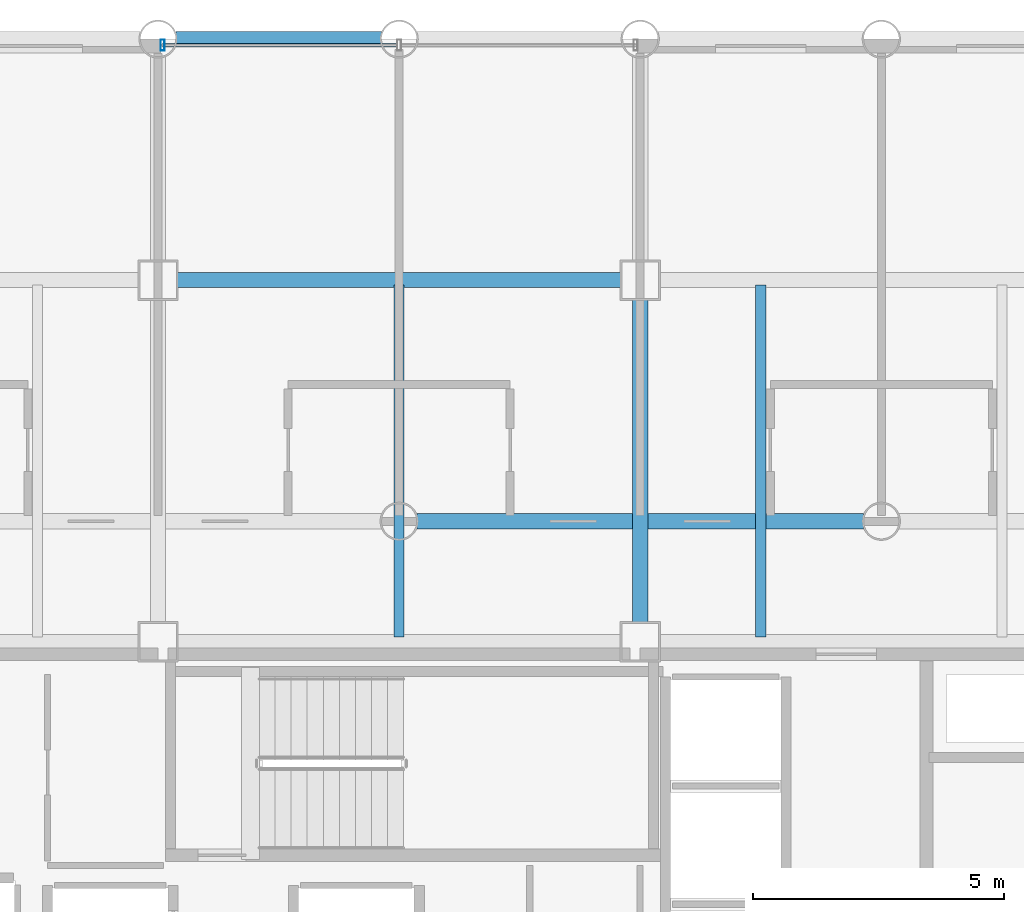
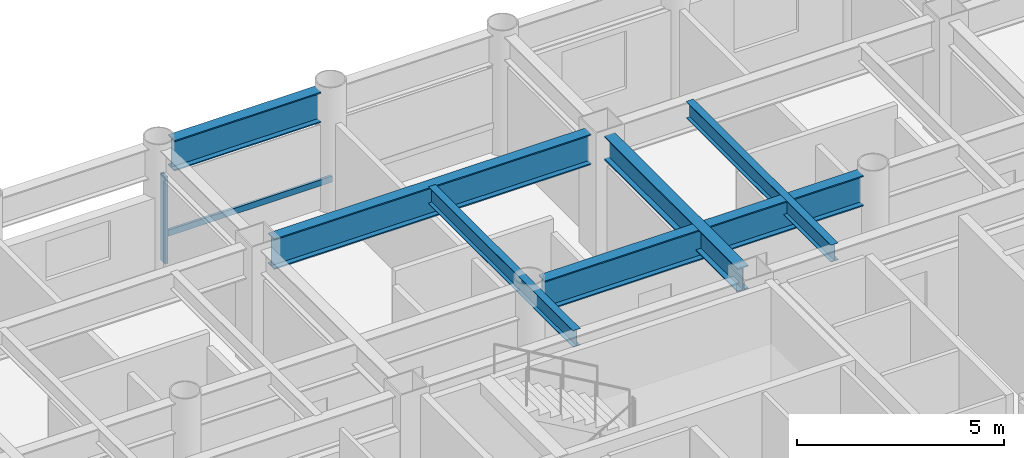
# One storey, part 11 of 22: 6 beams, 2 members, 1 element without a shape of its own.
"""IFC4 building model written with IfcOpenShell, lengths in metres."""

from ifc_helpers import new_model, si_unit, direction, frame, origin, origin_2d, place, context, subcontext, project, spatial, hollow_rectangle, i_section, extrude, material, layer, layer_set, material_profile, profile_set, type_object, element, aggregate, save


model = new_model("IFC4")

# Units and contexts
model_context = context("Model", 3, precision=1e-05, world=origin(), true_north=direction((0.0, 1.0)))
body_context = subcontext(model_context, "Body", "Model", "MODEL_VIEW")
ifc_project = project(units=[si_unit("LENGTHUNIT", "METRE"), si_unit("AREAUNIT", "SQUARE_METRE"), si_unit("VOLUMEUNIT", "CUBIC_METRE"), si_unit("PLANEANGLEUNIT", "RADIAN"), si_unit("MASSUNIT", "GRAM", prefix="KILO")], contexts=[model_context])

# Site, building, storey
site_placement = place(None, origin())
site = spatial("IfcSite", under=ifc_project, at=site_placement, CompositionType="ELEMENT")
building_placement = place(site_placement, origin())
building = spatial("IfcBuilding", under=site, at=building_placement, Name="Kallvorn Hotel Tower", CompositionType="ELEMENT")
storey_placement = place(building_placement, frame((0.0, 0.0, 33.699951171875)))
storey = spatial("IfcBuildingStorey", under=building, at=storey_placement, Name="L06", CompositionType="ELEMENT", Elevation=33.699951171875)

# Beams
ifc_material_1 = material(Name="Structural steel S355JR", Category="steel")
ifc_material_profile_1 = material_profile(ifc_material_1, i_section(OverallWidth=0.300048828125, OverallDepth=0.699951171875, WebThickness=0.01708984375, FlangeThickness=0.031982421875, at=origin_2d()), Name="HE 700 B")
ifc_profile_set_1 = profile_set([ifc_material_profile_1], Name="Structural steel S355JR")
beam_type_1 = type_object("IfcBeamType", Name="BM_HE700B", PredefinedType="BEAM", material=ifc_profile_set_1)
beam_1_placement = place(storey_placement, frame((4.800048828125, 7.574951171875, 3.170166015625), z_axis=(0.0, 1.0, 0.0), x_axis=(-1.0, 0.0, 0.0)))
element("IfcBeam", 1, at=beam_1_placement, inside=storey, type_object=beam_type_1, Name="L07 Primary Y-Girder 117", PredefinedType="BEAM", context=body_context, shape_type="SweptSolid", body=[
    extrude(i_section(OverallWidth=0.300048828125, OverallDepth=0.699951171875, WebThickness=0.01708984375, FlangeThickness=0.031982421875, at=origin_2d()), origin(), (0.0, 0.0, 1.0), 6.449951171875),
])
ifc_material_2 = material(Name="Structural steel S355JR", Category="steel")
ifc_material_profile_2 = material_profile(ifc_material_2, i_section(OverallWidth=0.300048828125, OverallDepth=0.89990234375, WebThickness=0.0185546875, FlangeThickness=0.034912109375, at=origin_2d()), Name="HE 900 B")
ifc_profile_set_2 = profile_set([ifc_material_profile_2], Name="Structural steel S355JR")
beam_type_2 = type_object("IfcBeamType", Name="BM_HE900B", PredefinedType="BEAM", material=ifc_profile_set_2)
beam_2_placement = place(storey_placement, frame((0.35595703125, 9.60009765625, 3.070068359375), z_axis=(1.0, 0.0, 0.0), x_axis=(0.0, 1.0, 0.0)))
element("IfcBeam", 2, at=beam_2_placement, inside=storey, type_object=beam_type_2, Name="L07 Primary X-Girder 47", PredefinedType="BEAM", context=body_context, shape_type="SweptSolid", body=[
    extrude(i_section(OverallWidth=0.300048828125, OverallDepth=0.89990234375, WebThickness=0.0185546875, FlangeThickness=0.034912109375, at=origin_2d()), origin(), (0.0, 0.0, 1.0), 8.887939453125),
])
beam_3_placement = place(storey_placement, frame((-4.425048828125, 14.39990234375, 3.070068359375), z_axis=(1.0, 0.0, 0.0), x_axis=(0.0, 1.0, 0.0)))
element("IfcBeam", 3, at=beam_3_placement, inside=storey, type_object=beam_type_2, Name="L07 Primary X-Girder 56", PredefinedType="BEAM", context=body_context, shape_type="SweptSolid", body=[
    extrude(i_section(OverallWidth=0.300048828125, OverallDepth=0.89990234375, WebThickness=0.0185546875, FlangeThickness=0.034912109375, at=origin_2d()), origin(), (0.0, 0.0, 1.0), 8.85009765625),
])
beam_4_placement = place(storey_placement, frame((-4.444091796875, 19.199951171875, 3.070068359375), z_axis=(1.0, 0.0, 0.0), x_axis=(0.0, 1.0, 0.0)))
element("IfcBeam", 4, at=beam_4_placement, inside=storey, type_object=beam_type_2, Name="L07 Primary X-Girder 66", PredefinedType="BEAM", context=body_context, shape_type="SweptSolid", body=[
    extrude(i_section(OverallWidth=0.300048828125, OverallDepth=0.89990234375, WebThickness=0.0185546875, FlangeThickness=0.034912109375, at=origin_2d()), origin(), (0.0, 0.0, 1.0), 4.088134765625),
])
ifc_material_3 = material(Name="Structural steel S355JR", Category="steel")
ifc_material_profile_3 = material_profile(ifc_material_3, i_section(OverallWidth=0.199951171875, OverallDepth=0.5, WebThickness=0.01025390625, FlangeThickness=0.01611328125, at=origin_2d()), Name="IPE 500")
ifc_profile_set_3 = profile_set([ifc_material_profile_3], Name="Structural steel S355JR")
beam_type_3 = type_object("IfcBeamType", Name="BM_IPE500", PredefinedType="JOIST", material=ifc_profile_set_3)
for number, where, z_axis, x_axis, name in (
    (5, (0.0, 7.300048828125, 3.27001953125), (0.0, 1.0, 0.0), (-1.0, 0.0, 0.0), "L07 Secondary Composite Joist 201"),
    (6, (7.199951171875, 7.300048828125, 3.27001953125), (0.0, 1.0, 0.0), (-1.0, 0.0, 0.0), "L07 Secondary Composite Joist 203"),
):
    element("IfcBeam", number, at=place(storey_placement, frame(where, z_axis=z_axis, x_axis=x_axis)), inside=storey, type_object=beam_type_3, Name=name, PredefinedType="JOIST", context=body_context, shape_type="SweptSolid", body=[
        extrude(i_section(OverallWidth=0.199951171875, OverallDepth=0.5, WebThickness=0.01025390625, FlangeThickness=0.01611328125, at=origin_2d()), origin(), (0.0, 0.0, 1.0), 7.0),
    ])

# Curtain wall, members
ifc_material_4 = material(Name="Thermally broken black-anodised aluminium AA 6063-T6", Category="aluminium")
ifc_layer = layer(ifc_material_4, 0.199951171875)
ifc_layer_set = layer_set([ifc_layer], Name="CW_SYS_3_HOTEL_LOW")
curtain_wall_type = type_object("IfcCurtainWallType", Name="CW_SYS_3_HOTEL_LOW", PredefinedType="USERDEFINED", material=ifc_layer_set)
curtain_wall_placement = place(storey_placement, origin())
curtain_wall = element("IfcCurtainWall", 7, at=curtain_wall_placement, inside=storey, type_object=curtain_wall_type, Name="L06 Dark-Glass Curtain Wall CW-L06-NC", ObjectType="UNITISED CURTAIN WALL", PredefinedType="USERDEFINED")
ifc_material_5 = material(Name="Thermally broken black-anodised aluminium AA 6063-T6", Category="aluminium")
ifc_material_profile_4 = material_profile(ifc_material_5, hollow_rectangle(XDim=0.080078125, YDim=0.219970703125, WallThickness=0.0048828125, at=origin_2d()), Name="MUL 220x80")
ifc_profile_set_4 = profile_set([ifc_material_profile_4], Name="Thermally broken black-anodised aluminium AA 6063-T6")
member_type_1 = type_object("IfcMemberType", Name="CW_MULLION_220x80", PredefinedType="MULLION", material=ifc_profile_set_4)
member_1_placement = place(storey_placement, frame((-4.7099609375, 19.080078125, 0.02001953125), z_axis=(0.0, 0.0, 1.0), x_axis=(1.0, 0.0, 0.0)))
member_1 = element("IfcMember", 8, at=member_1_placement, type_object=member_type_1, Name="CW-L06-NC Mullion 00", PredefinedType="MULLION", context=body_context, shape_type="SweptSolid", body=[
    extrude(hollow_rectangle(XDim=0.080078125, YDim=0.219970703125, WallThickness=0.0048828125, at=origin_2d()), origin(), (0.0, 0.0, 1.0), 2.580078125),
])
ifc_material_6 = material(Name="Thermally broken black-anodised aluminium AA 6063-T6", Category="aluminium")
ifc_material_profile_5 = material_profile(ifc_material_6, hollow_rectangle(XDim=0.070068359375, YDim=0.179931640625, WallThickness=0.00390625, at=origin_2d()), Name="TRN 180x70")
ifc_profile_set_5 = profile_set([ifc_material_profile_5], Name="Thermally broken black-anodised aluminium AA 6063-T6")
member_type_2 = type_object("IfcMemberType", Name="CW_TRANSOM_180x70", PredefinedType="USERDEFINED", material=ifc_profile_set_5)
member_2_placement = place(storey_placement, frame((-4.7099609375, 19.080078125, 0.85009765625), z_axis=(1.0, 0.0, 0.0), x_axis=(0.0, 1.0, 0.0)))
member_2 = element("IfcMember", 9, at=member_2_placement, type_object=member_type_2, Name="CW-L06-NC Transom 00M", ObjectType="TRANSOM", PredefinedType="USERDEFINED", context=body_context, shape_type="SweptSolid", body=[
    extrude(hollow_rectangle(XDim=0.070068359375, YDim=0.179931640625, WallThickness=0.00390625, at=origin_2d()), origin(), (0.0, 0.0, 1.0), 4.669921875),
])
aggregate(curtain_wall, [member_1, member_2])

save(model, "model.ifc")
